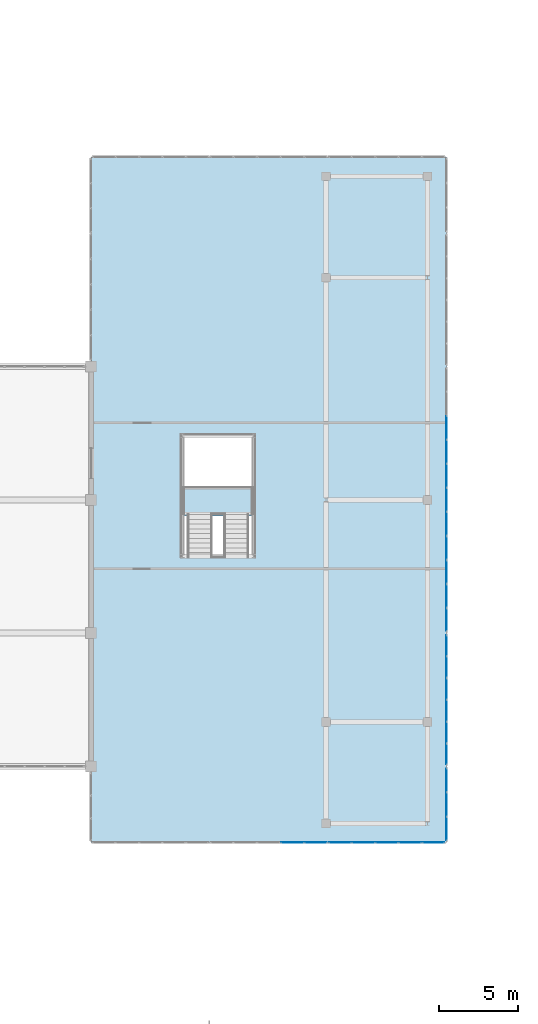
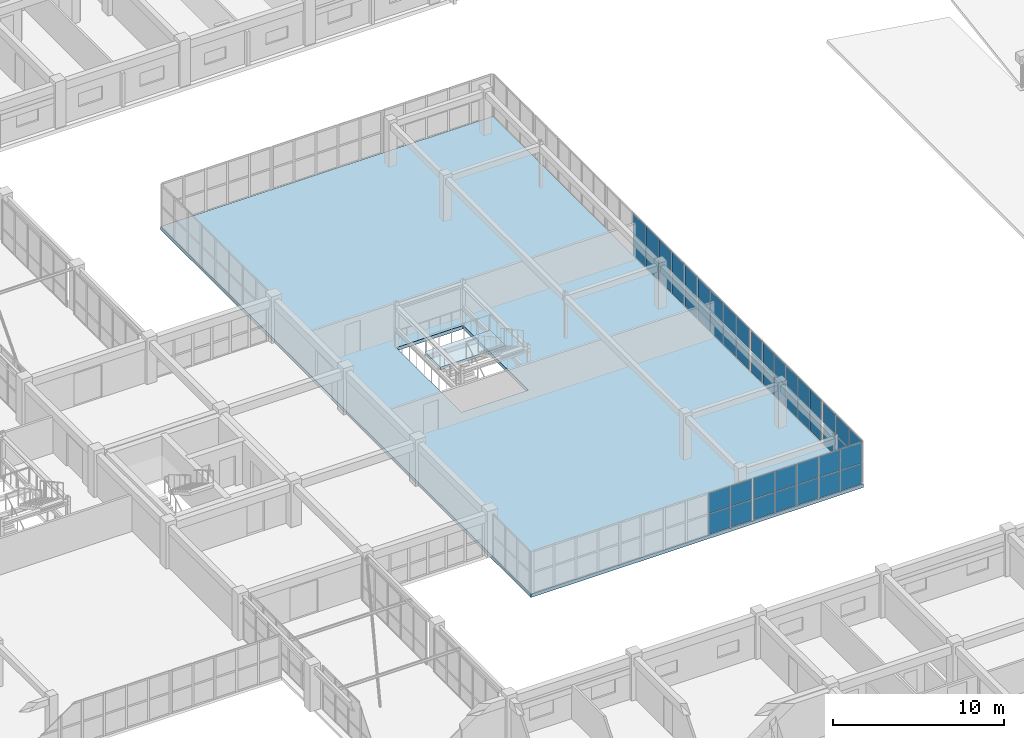
# One storey, part 102 of 148: 50 plates, 2 slabs, 6 elements without a shape of their own.
"""IFC4 building model written with IfcOpenShell, lengths in metres."""

from ifc_helpers import new_model, si_unit, direction, frame, origin, origin_2d, place, context, subcontext, project, spatial, polyline, rectangle, outline, extrude, material, layer, layer_set, type_object, element, aggregate, save


model = new_model("IFC4")

# Units and contexts
model_context = context("Model", 3, precision=1e-05, world=origin(), true_north=direction((0.0, 1.0)))
body_context = subcontext(model_context, "Body", "Model", "MODEL_VIEW")
ifc_project = project(units=[si_unit("LENGTHUNIT", "METRE"), si_unit("AREAUNIT", "SQUARE_METRE"), si_unit("VOLUMEUNIT", "CUBIC_METRE"), si_unit("PLANEANGLEUNIT", "RADIAN"), si_unit("MASSUNIT", "GRAM", prefix="KILO")], contexts=[model_context])

# Site, building, storey
site_placement = place(None, origin())
site = spatial("IfcSite", under=ifc_project, at=site_placement, CompositionType="ELEMENT")
building_placement = place(site_placement, origin())
building = spatial("IfcBuilding", under=site, at=building_placement, Name="Trelvath General Hospital", CompositionType="ELEMENT")
storey_placement = place(building_placement, frame((0.0, 0.0, 12.89990234375)))
storey = spatial("IfcBuildingStorey", under=building, at=storey_placement, Name="L03", CompositionType="ELEMENT", Elevation=12.89990234375)

# Curtain wall, plates
ifc_material_1 = material(Name="Anodised aluminium and low-E glass", Category="aluminium")
ifc_layer_1 = layer(ifc_material_1, 0.14990234375)
ifc_layer_set_1 = layer_set([ifc_layer_1], Name="Anodised aluminium and low-E glass")
curtain_wall_type_1 = type_object("IfcCurtainWallType", Name="CW CrystalCube 743 306 15", PredefinedType="USERDEFINED", material=ifc_layer_set_1)
curtain_wall_1_placement = place(storey_placement, origin())
curtain_wall_1 = element("IfcCurtainWall", 1, at=curtain_wall_1_placement, inside=storey, type_object=curtain_wall_type_1, Name="Crystal Cube Curtain Wall CUBE-E-T1 S2 L03", ObjectType="Unitised Glazed Curtain Wall", PredefinedType="USERDEFINED")
ifc_material_2 = material(Name="Low-E laminated glass", Category="glass")
ifc_layer_2 = layer(ifc_material_2, 0.028076171875)
ifc_layer_set_2 = layer_set([ifc_layer_2], Name="Low-E laminated glass")
plate_type = type_object("IfcPlateType", Name="CurtainPanel Glass28", PredefinedType="CURTAIN_PANEL", material=ifc_layer_set_2)
plate_1_placement = place(storey_placement, frame((106.5556640625, 37.199951171875, 0.06005859375), z_axis=(0.0, 0.0, 1.0), x_axis=(-1.0, 0.0, 0.0)))
plate_1 = element("IfcPlate", 2, at=plate_1_placement, type_object=plate_type, Name="CW-245 panel 1.1", PredefinedType="CURTAIN_PANEL", context=body_context, shape_type="SweptSolid", body=[
    extrude(rectangle(XDim=1.395263671875, YDim=0.028076171875, at=origin_2d()), origin(), (0.0, 0.0, 1.0), 1.43994140625),
])
plate_2_placement = place(storey_placement, frame((106.5556640625, 37.199951171875, 1.56005859375), z_axis=(0.0, 0.0, 1.0), x_axis=(-1.0, 0.0, 0.0)))
plate_2 = element("IfcPlate", 3, at=plate_2_placement, type_object=plate_type, Name="CW-245 panel 1.2", PredefinedType="CURTAIN_PANEL", context=body_context, shape_type="SweptSolid", body=[
    extrude(rectangle(XDim=1.395263671875, YDim=0.028076171875, at=origin_2d()), origin(), (0.0, 0.0, 1.0), 1.43994140625),
])
plate_3_placement = place(storey_placement, frame((105.085205078125, 37.199951171875, 0.06005859375), z_axis=(0.0, 0.0, 1.0), x_axis=(-1.0, 0.0, 0.0)))
plate_3 = element("IfcPlate", 4, at=plate_3_placement, type_object=plate_type, Name="CW-245 panel 2.1", PredefinedType="CURTAIN_PANEL", context=body_context, shape_type="SweptSolid", body=[
    extrude(rectangle(XDim=1.42529296875, YDim=0.028076171875, at=origin_2d()), origin(), (0.0, 0.0, 1.0), 1.43994140625),
])
plate_4_placement = place(storey_placement, frame((105.085205078125, 37.199951171875, 1.56005859375), z_axis=(0.0, 0.0, 1.0), x_axis=(-1.0, 0.0, 0.0)))
plate_4 = element("IfcPlate", 5, at=plate_4_placement, type_object=plate_type, Name="CW-245 panel 2.2", PredefinedType="CURTAIN_PANEL", context=body_context, shape_type="SweptSolid", body=[
    extrude(rectangle(XDim=1.42529296875, YDim=0.028076171875, at=origin_2d()), origin(), (0.0, 0.0, 1.0), 1.43994140625),
])
aggregate(curtain_wall_1, [plate_1, plate_2, plate_3, plate_4])

ifc_material_3 = material(Name="Anodised aluminium and low-E glass", Category="aluminium")
ifc_layer_3 = layer(ifc_material_3, 0.14990234375)
ifc_layer_set_3 = layer_set([ifc_layer_3], Name="Anodised aluminium and low-E glass")
curtain_wall_type_2 = type_object("IfcCurtainWallType", Name="CW CrystalCube 737 306 15", PredefinedType="USERDEFINED", material=ifc_layer_set_3)
curtain_wall_2_placement = place(storey_placement, origin())
curtain_wall_2 = element("IfcCurtainWall", 6, at=curtain_wall_2_placement, inside=storey, type_object=curtain_wall_type_2, Name="Crystal Cube Curtain Wall CUBE-E-T1 S3 L03", ObjectType="Unitised Glazed Curtain Wall", PredefinedType="USERDEFINED")
plate_5_placement = place(storey_placement, frame((113.96826171875, 37.199951171875, 0.06005859375), z_axis=(0.0, 0.0, 1.0), x_axis=(-1.0, 0.0, 0.0)))
plate_5 = element("IfcPlate", 7, at=plate_5_placement, type_object=plate_type, Name="CW-246 panel 1.1", PredefinedType="CURTAIN_PANEL", context=body_context, shape_type="SweptSolid", body=[
    extrude(rectangle(XDim=1.38330078125, YDim=0.028076171875, at=origin_2d()), origin(), (0.0, 0.0, 1.0), 1.43994140625),
])
plate_6_placement = place(storey_placement, frame((113.96826171875, 37.199951171875, 1.56005859375), z_axis=(0.0, 0.0, 1.0), x_axis=(-1.0, 0.0, 0.0)))
plate_6 = element("IfcPlate", 8, at=plate_6_placement, type_object=plate_type, Name="CW-246 panel 1.2", PredefinedType="CURTAIN_PANEL", context=body_context, shape_type="SweptSolid", body=[
    extrude(rectangle(XDim=1.38330078125, YDim=0.028076171875, at=origin_2d()), origin(), (0.0, 0.0, 1.0), 1.43994140625),
])
plate_7_placement = place(storey_placement, frame((112.510009765625, 37.199951171875, 0.06005859375), z_axis=(0.0, 0.0, 1.0), x_axis=(-1.0, 0.0, 0.0)))
plate_7 = element("IfcPlate", 9, at=plate_7_placement, type_object=plate_type, Name="CW-246 panel 2.1", PredefinedType="CURTAIN_PANEL", context=body_context, shape_type="SweptSolid", body=[
    extrude(rectangle(XDim=1.413330078125, YDim=0.028076171875, at=origin_2d()), origin(), (0.0, 0.0, 1.0), 1.43994140625),
])
plate_8_placement = place(storey_placement, frame((112.510009765625, 37.199951171875, 1.56005859375), z_axis=(0.0, 0.0, 1.0), x_axis=(-1.0, 0.0, 0.0)))
plate_8 = element("IfcPlate", 10, at=plate_8_placement, type_object=plate_type, Name="CW-246 panel 2.2", PredefinedType="CURTAIN_PANEL", context=body_context, shape_type="SweptSolid", body=[
    extrude(rectangle(XDim=1.413330078125, YDim=0.028076171875, at=origin_2d()), origin(), (0.0, 0.0, 1.0), 1.43994140625),
])
plate_9_placement = place(storey_placement, frame((111.03662109375, 37.199951171875, 0.06005859375), z_axis=(0.0, 0.0, 1.0), x_axis=(-1.0, 0.0, 0.0)))
plate_9 = element("IfcPlate", 11, at=plate_9_placement, type_object=plate_type, Name="CW-246 panel 3.1", PredefinedType="CURTAIN_PANEL", context=body_context, shape_type="SweptSolid", body=[
    extrude(rectangle(XDim=1.413330078125, YDim=0.028076171875, at=origin_2d()), origin(), (0.0, 0.0, 1.0), 1.43994140625),
])
plate_10_placement = place(storey_placement, frame((111.03662109375, 37.199951171875, 1.56005859375), z_axis=(0.0, 0.0, 1.0), x_axis=(-1.0, 0.0, 0.0)))
plate_10 = element("IfcPlate", 12, at=plate_10_placement, type_object=plate_type, Name="CW-246 panel 3.2", PredefinedType="CURTAIN_PANEL", context=body_context, shape_type="SweptSolid", body=[
    extrude(rectangle(XDim=1.413330078125, YDim=0.028076171875, at=origin_2d()), origin(), (0.0, 0.0, 1.0), 1.43994140625),
])
plate_11_placement = place(storey_placement, frame((109.563232421875, 37.199951171875, 0.06005859375), z_axis=(0.0, 0.0, 1.0), x_axis=(-1.0, 0.0, 0.0)))
plate_11 = element("IfcPlate", 13, at=plate_11_placement, type_object=plate_type, Name="CW-246 panel 4.1", PredefinedType="CURTAIN_PANEL", context=body_context, shape_type="SweptSolid", body=[
    extrude(rectangle(XDim=1.413330078125, YDim=0.028076171875, at=origin_2d()), origin(), (0.0, 0.0, 1.0), 1.43994140625),
])
plate_12_placement = place(storey_placement, frame((109.563232421875, 37.199951171875, 1.56005859375), z_axis=(0.0, 0.0, 1.0), x_axis=(-1.0, 0.0, 0.0)))
plate_12 = element("IfcPlate", 14, at=plate_12_placement, type_object=plate_type, Name="CW-246 panel 4.2", PredefinedType="CURTAIN_PANEL", context=body_context, shape_type="SweptSolid", body=[
    extrude(rectangle(XDim=1.413330078125, YDim=0.028076171875, at=origin_2d()), origin(), (0.0, 0.0, 1.0), 1.43994140625),
])
plate_13_placement = place(storey_placement, frame((108.10498046875, 37.199951171875, 0.06005859375), z_axis=(0.0, 0.0, 1.0), x_axis=(-1.0, 0.0, 0.0)))
plate_13 = element("IfcPlate", 15, at=plate_13_placement, type_object=plate_type, Name="CW-246 panel 5.1", PredefinedType="CURTAIN_PANEL", context=body_context, shape_type="SweptSolid", body=[
    extrude(rectangle(XDim=1.38330078125, YDim=0.028076171875, at=origin_2d()), origin(), (0.0, 0.0, 1.0), 1.43994140625),
])
plate_14_placement = place(storey_placement, frame((108.10498046875, 37.199951171875, 1.56005859375), z_axis=(0.0, 0.0, 1.0), x_axis=(-1.0, 0.0, 0.0)))
plate_14 = element("IfcPlate", 16, at=plate_14_placement, type_object=plate_type, Name="CW-246 panel 5.2", PredefinedType="CURTAIN_PANEL", context=body_context, shape_type="SweptSolid", body=[
    extrude(rectangle(XDim=1.38330078125, YDim=0.028076171875, at=origin_2d()), origin(), (0.0, 0.0, 1.0), 1.43994140625),
])
aggregate(curtain_wall_2, [plate_5, plate_6, plate_7, plate_8, plate_9, plate_10, plate_11, plate_12, plate_13, plate_14])

ifc_material_4 = material(Name="Anodised aluminium and low-E glass", Category="aluminium")
ifc_layer_4 = layer(ifc_material_4, 0.14990234375)
ifc_layer_set_4 = layer_set([ifc_layer_4], Name="Anodised aluminium and low-E glass")
curtain_wall_type_3 = type_object("IfcCurtainWallType", Name="CW CrystalCube 464 306 15", PredefinedType="USERDEFINED", material=ifc_layer_set_4)
curtain_wall_3_placement = place(storey_placement, origin())
curtain_wall_3 = element("IfcCurtainWall", 17, at=curtain_wall_3_placement, inside=storey, type_object=curtain_wall_type_3, Name="Crystal Cube Curtain Wall CUBE-E-T1 E1 L03", ObjectType="Unitised Glazed Curtain Wall", PredefinedType="USERDEFINED")
plate_15_placement = place(storey_placement, frame((114.800048828125, 41.131591796875, 0.06005859375), z_axis=(0.0, 0.0, 1.0), x_axis=(0.0, -1.0, 0.0)))
plate_15 = element("IfcPlate", 18, at=plate_15_placement, type_object=plate_type, Name="CW-250 panel 1.1", PredefinedType="CURTAIN_PANEL", context=body_context, shape_type="SweptSolid", body=[
    extrude(rectangle(XDim=1.456787109375, YDim=0.028076171875, at=origin_2d()), origin(), (0.0, 0.0, 1.0), 1.43994140625),
])
plate_16_placement = place(storey_placement, frame((114.800048828125, 41.131591796875, 1.56005859375), z_axis=(0.0, 0.0, 1.0), x_axis=(0.0, -1.0, 0.0)))
plate_16 = element("IfcPlate", 19, at=plate_16_placement, type_object=plate_type, Name="CW-250 panel 1.2", PredefinedType="CURTAIN_PANEL", context=body_context, shape_type="SweptSolid", body=[
    extrude(rectangle(XDim=1.456787109375, YDim=0.028076171875, at=origin_2d()), origin(), (0.0, 0.0, 1.0), 1.43994140625),
])
plate_17_placement = place(storey_placement, frame((114.800048828125, 39.60009765625, 0.06005859375), z_axis=(0.0, 0.0, 1.0), x_axis=(0.0, -1.0, 0.0)))
plate_17 = element("IfcPlate", 20, at=plate_17_placement, type_object=plate_type, Name="CW-250 panel 2.1", PredefinedType="CURTAIN_PANEL", context=body_context, shape_type="SweptSolid", body=[
    extrude(rectangle(XDim=1.486572265625, YDim=0.028076171875, at=origin_2d()), origin(), (0.0, 0.0, 1.0), 1.43994140625),
])
plate_18_placement = place(storey_placement, frame((114.800048828125, 39.60009765625, 1.56005859375), z_axis=(0.0, 0.0, 1.0), x_axis=(0.0, -1.0, 0.0)))
plate_18 = element("IfcPlate", 21, at=plate_18_placement, type_object=plate_type, Name="CW-250 panel 2.2", PredefinedType="CURTAIN_PANEL", context=body_context, shape_type="SweptSolid", body=[
    extrude(rectangle(XDim=1.486572265625, YDim=0.028076171875, at=origin_2d()), origin(), (0.0, 0.0, 1.0), 1.43994140625),
])
plate_19_placement = place(storey_placement, frame((114.800048828125, 38.068359375, 0.06005859375), z_axis=(0.0, 0.0, 1.0), x_axis=(0.0, -1.0, 0.0)))
plate_19 = element("IfcPlate", 22, at=plate_19_placement, type_object=plate_type, Name="CW-250 panel 3.1", PredefinedType="CURTAIN_PANEL", context=body_context, shape_type="SweptSolid", body=[
    extrude(rectangle(XDim=1.456787109375, YDim=0.028076171875, at=origin_2d()), origin(), (0.0, 0.0, 1.0), 1.43994140625),
])
plate_20_placement = place(storey_placement, frame((114.800048828125, 38.068359375, 1.56005859375), z_axis=(0.0, 0.0, 1.0), x_axis=(0.0, -1.0, 0.0)))
plate_20 = element("IfcPlate", 23, at=plate_20_placement, type_object=plate_type, Name="CW-250 panel 3.2", PredefinedType="CURTAIN_PANEL", context=body_context, shape_type="SweptSolid", body=[
    extrude(rectangle(XDim=1.456787109375, YDim=0.028076171875, at=origin_2d()), origin(), (0.0, 0.0, 1.0), 1.43994140625),
])
aggregate(curtain_wall_3, [plate_15, plate_16, plate_17, plate_18, plate_19, plate_20])

ifc_material_5 = material(Name="Anodised aluminium and low-E glass", Category="aluminium")
ifc_layer_5 = layer(ifc_material_5, 0.14990234375)
ifc_layer_set_5 = layer_set([ifc_layer_5], Name="Anodised aluminium and low-E glass")
curtain_wall_type_4 = type_object("IfcCurtainWallType", Name="CW CrystalCube 824 306 15", PredefinedType="USERDEFINED", material=ifc_layer_set_5)
curtain_wall_4_placement = place(storey_placement, origin())
curtain_wall_4 = element("IfcCurtainWall", 24, at=curtain_wall_4_placement, inside=storey, type_object=curtain_wall_type_4, Name="Crystal Cube Curtain Wall CUBE-E-T1 E2 L03", ObjectType="Unitised Glazed Curtain Wall", PredefinedType="USERDEFINED")
plate_21_placement = place(storey_placement, frame((114.800048828125, 49.618408203125, 0.06005859375), z_axis=(0.0, 0.0, 1.0), x_axis=(0.0, -1.0, 0.0)))
plate_21 = element("IfcPlate", 25, at=plate_21_placement, type_object=plate_type, Name="CW-252 panel 1.1", PredefinedType="CURTAIN_PANEL", context=body_context, shape_type="SweptSolid", body=[
    extrude(rectangle(XDim=1.283447265625, YDim=0.028076171875, at=origin_2d()), origin(), (0.0, 0.0, 1.0), 1.43994140625),
])
plate_22_placement = place(storey_placement, frame((114.800048828125, 49.618408203125, 1.56005859375), z_axis=(0.0, 0.0, 1.0), x_axis=(0.0, -1.0, 0.0)))
plate_22 = element("IfcPlate", 26, at=plate_22_placement, type_object=plate_type, Name="CW-252 panel 1.2", PredefinedType="CURTAIN_PANEL", context=body_context, shape_type="SweptSolid", body=[
    extrude(rectangle(XDim=1.283447265625, YDim=0.028076171875, at=origin_2d()), origin(), (0.0, 0.0, 1.0), 1.43994140625),
])
plate_23_placement = place(storey_placement, frame((114.800048828125, 48.260009765625, 0.06005859375), z_axis=(0.0, 0.0, 1.0), x_axis=(0.0, -1.0, 0.0)))
plate_23 = element("IfcPlate", 27, at=plate_23_placement, type_object=plate_type, Name="CW-252 panel 2.1", PredefinedType="CURTAIN_PANEL", context=body_context, shape_type="SweptSolid", body=[
    extrude(rectangle(XDim=1.313232421875, YDim=0.028076171875, at=origin_2d()), origin(), (0.0, 0.0, 1.0), 1.43994140625),
])
plate_24_placement = place(storey_placement, frame((114.800048828125, 48.260009765625, 1.56005859375), z_axis=(0.0, 0.0, 1.0), x_axis=(0.0, -1.0, 0.0)))
plate_24 = element("IfcPlate", 28, at=plate_24_placement, type_object=plate_type, Name="CW-252 panel 2.2", PredefinedType="CURTAIN_PANEL", context=body_context, shape_type="SweptSolid", body=[
    extrude(rectangle(XDim=1.313232421875, YDim=0.028076171875, at=origin_2d()), origin(), (0.0, 0.0, 1.0), 1.43994140625),
])
plate_25_placement = place(storey_placement, frame((114.800048828125, 46.88671875, 0.06005859375), z_axis=(0.0, 0.0, 1.0), x_axis=(0.0, -1.0, 0.0)))
plate_25 = element("IfcPlate", 29, at=plate_25_placement, type_object=plate_type, Name="CW-252 panel 3.1", PredefinedType="CURTAIN_PANEL", context=body_context, shape_type="SweptSolid", body=[
    extrude(rectangle(XDim=1.313232421875, YDim=0.028076171875, at=origin_2d()), origin(), (0.0, 0.0, 1.0), 1.43994140625),
])
plate_26_placement = place(storey_placement, frame((114.800048828125, 46.88671875, 1.56005859375), z_axis=(0.0, 0.0, 1.0), x_axis=(0.0, -1.0, 0.0)))
plate_26 = element("IfcPlate", 30, at=plate_26_placement, type_object=plate_type, Name="CW-252 panel 3.2", PredefinedType="CURTAIN_PANEL", context=body_context, shape_type="SweptSolid", body=[
    extrude(rectangle(XDim=1.313232421875, YDim=0.028076171875, at=origin_2d()), origin(), (0.0, 0.0, 1.0), 1.43994140625),
])
plate_27_placement = place(storey_placement, frame((114.800048828125, 45.513427734375, 0.06005859375), z_axis=(0.0, 0.0, 1.0), x_axis=(0.0, -1.0, 0.0)))
plate_27 = element("IfcPlate", 31, at=plate_27_placement, type_object=plate_type, Name="CW-252 panel 4.1", PredefinedType="CURTAIN_PANEL", context=body_context, shape_type="SweptSolid", body=[
    extrude(rectangle(XDim=1.313232421875, YDim=0.028076171875, at=origin_2d()), origin(), (0.0, 0.0, 1.0), 1.43994140625),
])
plate_28_placement = place(storey_placement, frame((114.800048828125, 45.513427734375, 1.56005859375), z_axis=(0.0, 0.0, 1.0), x_axis=(0.0, -1.0, 0.0)))
plate_28 = element("IfcPlate", 32, at=plate_28_placement, type_object=plate_type, Name="CW-252 panel 4.2", PredefinedType="CURTAIN_PANEL", context=body_context, shape_type="SweptSolid", body=[
    extrude(rectangle(XDim=1.313232421875, YDim=0.028076171875, at=origin_2d()), origin(), (0.0, 0.0, 1.0), 1.43994140625),
])
plate_29_placement = place(storey_placement, frame((114.800048828125, 44.139892578125, 0.06005859375), z_axis=(0.0, 0.0, 1.0), x_axis=(0.0, -1.0, 0.0)))
plate_29 = element("IfcPlate", 33, at=plate_29_placement, type_object=plate_type, Name="CW-252 panel 5.1", PredefinedType="CURTAIN_PANEL", context=body_context, shape_type="SweptSolid", body=[
    extrude(rectangle(XDim=1.313232421875, YDim=0.028076171875, at=origin_2d()), origin(), (0.0, 0.0, 1.0), 1.43994140625),
])
plate_30_placement = place(storey_placement, frame((114.800048828125, 44.139892578125, 1.56005859375), z_axis=(0.0, 0.0, 1.0), x_axis=(0.0, -1.0, 0.0)))
plate_30 = element("IfcPlate", 34, at=plate_30_placement, type_object=plate_type, Name="CW-252 panel 5.2", PredefinedType="CURTAIN_PANEL", context=body_context, shape_type="SweptSolid", body=[
    extrude(rectangle(XDim=1.313232421875, YDim=0.028076171875, at=origin_2d()), origin(), (0.0, 0.0, 1.0), 1.43994140625),
])
plate_31_placement = place(storey_placement, frame((114.800048828125, 42.78173828125, 0.06005859375), z_axis=(0.0, 0.0, 1.0), x_axis=(0.0, -1.0, 0.0)))
plate_31 = element("IfcPlate", 35, at=plate_31_placement, type_object=plate_type, Name="CW-252 panel 6.1", PredefinedType="CURTAIN_PANEL", context=body_context, shape_type="SweptSolid", body=[
    extrude(rectangle(XDim=1.283447265625, YDim=0.028076171875, at=origin_2d()), origin(), (0.0, 0.0, 1.0), 1.43994140625),
])
plate_32_placement = place(storey_placement, frame((114.800048828125, 42.78173828125, 1.56005859375), z_axis=(0.0, 0.0, 1.0), x_axis=(0.0, -1.0, 0.0)))
plate_32 = element("IfcPlate", 36, at=plate_32_placement, type_object=plate_type, Name="CW-252 panel 6.2", PredefinedType="CURTAIN_PANEL", context=body_context, shape_type="SweptSolid", body=[
    extrude(rectangle(XDim=1.283447265625, YDim=0.028076171875, at=origin_2d()), origin(), (0.0, 0.0, 1.0), 1.43994140625),
])
aggregate(curtain_wall_4, [plate_21, plate_22, plate_23, plate_24, plate_25, plate_26, plate_27, plate_28, plate_29, plate_30, plate_31, plate_32])

ifc_material_6 = material(Name="Anodised aluminium and low-E glass", Category="aluminium")
ifc_layer_6 = layer(ifc_material_6, 0.14990234375)
ifc_layer_set_6 = layer_set([ifc_layer_6], Name="Anodised aluminium and low-E glass")
curtain_wall_type_5 = type_object("IfcCurtainWallType", Name="CW CrystalCube 1664 306 15", PredefinedType="USERDEFINED", material=ifc_layer_set_6)
curtain_wall_5_placement = place(storey_placement, origin())
curtain_wall_5 = element("IfcCurtainWall", 37, at=curtain_wall_5_placement, inside=storey, type_object=curtain_wall_type_5, Name="Crystal Cube Curtain Wall CUBE-E-T1 E3 L03", ObjectType="Unitised Glazed Curtain Wall", PredefinedType="USERDEFINED")
plate_33_placement = place(storey_placement, frame((114.800048828125, 63.338134765625, 0.06005859375), z_axis=(0.0, 0.0, 1.0), x_axis=(0.0, -1.0, 0.0)))
plate_33 = element("IfcPlate", 38, at=plate_33_placement, type_object=plate_type, Name="CW-253 panel 3.1", PredefinedType="CURTAIN_PANEL", context=body_context, shape_type="SweptSolid", body=[
    extrude(rectangle(XDim=1.45263671875, YDim=0.028076171875, at=origin_2d()), origin(), (0.0, 0.0, 1.0), 1.43994140625),
])
plate_34_placement = place(storey_placement, frame((114.800048828125, 63.338134765625, 1.56005859375), z_axis=(0.0, 0.0, 1.0), x_axis=(0.0, -1.0, 0.0)))
plate_34 = element("IfcPlate", 39, at=plate_34_placement, type_object=plate_type, Name="CW-253 panel 3.2", PredefinedType="CURTAIN_PANEL", context=body_context, shape_type="SweptSolid", body=[
    extrude(rectangle(XDim=1.45263671875, YDim=0.028076171875, at=origin_2d()), origin(), (0.0, 0.0, 1.0), 1.43994140625),
])
plate_35_placement = place(storey_placement, frame((114.800048828125, 61.825439453125, 0.06005859375), z_axis=(0.0, 0.0, 1.0), x_axis=(0.0, -1.0, 0.0)))
plate_35 = element("IfcPlate", 40, at=plate_35_placement, type_object=plate_type, Name="CW-253 panel 4.1", PredefinedType="CURTAIN_PANEL", context=body_context, shape_type="SweptSolid", body=[
    extrude(rectangle(XDim=1.45263671875, YDim=0.028076171875, at=origin_2d()), origin(), (0.0, 0.0, 1.0), 1.43994140625),
])
plate_36_placement = place(storey_placement, frame((114.800048828125, 61.825439453125, 1.56005859375), z_axis=(0.0, 0.0, 1.0), x_axis=(0.0, -1.0, 0.0)))
plate_36 = element("IfcPlate", 41, at=plate_36_placement, type_object=plate_type, Name="CW-253 panel 4.2", PredefinedType="CURTAIN_PANEL", context=body_context, shape_type="SweptSolid", body=[
    extrude(rectangle(XDim=1.45263671875, YDim=0.028076171875, at=origin_2d()), origin(), (0.0, 0.0, 1.0), 1.43994140625),
])
plate_37_placement = place(storey_placement, frame((114.800048828125, 60.312744140625, 0.06005859375), z_axis=(0.0, 0.0, 1.0), x_axis=(0.0, -1.0, 0.0)))
plate_37 = element("IfcPlate", 42, at=plate_37_placement, type_object=plate_type, Name="CW-253 panel 5.1", PredefinedType="CURTAIN_PANEL", context=body_context, shape_type="SweptSolid", body=[
    extrude(rectangle(XDim=1.45263671875, YDim=0.028076171875, at=origin_2d()), origin(), (0.0, 0.0, 1.0), 1.43994140625),
])
plate_38_placement = place(storey_placement, frame((114.800048828125, 60.312744140625, 1.56005859375), z_axis=(0.0, 0.0, 1.0), x_axis=(0.0, -1.0, 0.0)))
plate_38 = element("IfcPlate", 43, at=plate_38_placement, type_object=plate_type, Name="CW-253 panel 5.2", PredefinedType="CURTAIN_PANEL", context=body_context, shape_type="SweptSolid", body=[
    extrude(rectangle(XDim=1.45263671875, YDim=0.028076171875, at=origin_2d()), origin(), (0.0, 0.0, 1.0), 1.43994140625),
])
plate_39_placement = place(storey_placement, frame((114.800048828125, 58.800048828125, 0.06005859375), z_axis=(0.0, 0.0, 1.0), x_axis=(0.0, -1.0, 0.0)))
plate_39 = element("IfcPlate", 44, at=plate_39_placement, type_object=plate_type, Name="CW-253 panel 6.1", PredefinedType="CURTAIN_PANEL", context=body_context, shape_type="SweptSolid", body=[
    extrude(rectangle(XDim=1.45263671875, YDim=0.028076171875, at=origin_2d()), origin(), (0.0, 0.0, 1.0), 1.43994140625),
])
plate_40_placement = place(storey_placement, frame((114.800048828125, 58.800048828125, 1.56005859375), z_axis=(0.0, 0.0, 1.0), x_axis=(0.0, -1.0, 0.0)))
plate_40 = element("IfcPlate", 45, at=plate_40_placement, type_object=plate_type, Name="CW-253 panel 6.2", PredefinedType="CURTAIN_PANEL", context=body_context, shape_type="SweptSolid", body=[
    extrude(rectangle(XDim=1.45263671875, YDim=0.028076171875, at=origin_2d()), origin(), (0.0, 0.0, 1.0), 1.43994140625),
])
plate_41_placement = place(storey_placement, frame((114.800048828125, 57.287353515625, 0.06005859375), z_axis=(0.0, 0.0, 1.0), x_axis=(0.0, -1.0, 0.0)))
plate_41 = element("IfcPlate", 46, at=plate_41_placement, type_object=plate_type, Name="CW-253 panel 7.1", PredefinedType="CURTAIN_PANEL", context=body_context, shape_type="SweptSolid", body=[
    extrude(rectangle(XDim=1.45263671875, YDim=0.028076171875, at=origin_2d()), origin(), (0.0, 0.0, 1.0), 1.43994140625),
])
plate_42_placement = place(storey_placement, frame((114.800048828125, 57.287353515625, 1.56005859375), z_axis=(0.0, 0.0, 1.0), x_axis=(0.0, -1.0, 0.0)))
plate_42 = element("IfcPlate", 47, at=plate_42_placement, type_object=plate_type, Name="CW-253 panel 7.2", PredefinedType="CURTAIN_PANEL", context=body_context, shape_type="SweptSolid", body=[
    extrude(rectangle(XDim=1.45263671875, YDim=0.028076171875, at=origin_2d()), origin(), (0.0, 0.0, 1.0), 1.43994140625),
])
plate_43_placement = place(storey_placement, frame((114.800048828125, 55.774658203125, 0.06005859375), z_axis=(0.0, 0.0, 1.0), x_axis=(0.0, -1.0, 0.0)))
plate_43 = element("IfcPlate", 48, at=plate_43_placement, type_object=plate_type, Name="CW-253 panel 8.1", PredefinedType="CURTAIN_PANEL", context=body_context, shape_type="SweptSolid", body=[
    extrude(rectangle(XDim=1.45263671875, YDim=0.028076171875, at=origin_2d()), origin(), (0.0, 0.0, 1.0), 1.43994140625),
])
plate_44_placement = place(storey_placement, frame((114.800048828125, 55.774658203125, 1.56005859375), z_axis=(0.0, 0.0, 1.0), x_axis=(0.0, -1.0, 0.0)))
plate_44 = element("IfcPlate", 49, at=plate_44_placement, type_object=plate_type, Name="CW-253 panel 8.2", PredefinedType="CURTAIN_PANEL", context=body_context, shape_type="SweptSolid", body=[
    extrude(rectangle(XDim=1.45263671875, YDim=0.028076171875, at=origin_2d()), origin(), (0.0, 0.0, 1.0), 1.43994140625),
])
plate_45_placement = place(storey_placement, frame((114.800048828125, 54.26171875, 0.06005859375), z_axis=(0.0, 0.0, 1.0), x_axis=(0.0, -1.0, 0.0)))
plate_45 = element("IfcPlate", 50, at=plate_45_placement, type_object=plate_type, Name="CW-253 panel 9.1", PredefinedType="CURTAIN_PANEL", context=body_context, shape_type="SweptSolid", body=[
    extrude(rectangle(XDim=1.45263671875, YDim=0.028076171875, at=origin_2d()), origin(), (0.0, 0.0, 1.0), 1.43994140625),
])
plate_46_placement = place(storey_placement, frame((114.800048828125, 54.26171875, 1.56005859375), z_axis=(0.0, 0.0, 1.0), x_axis=(0.0, -1.0, 0.0)))
plate_46 = element("IfcPlate", 51, at=plate_46_placement, type_object=plate_type, Name="CW-253 panel 9.2", PredefinedType="CURTAIN_PANEL", context=body_context, shape_type="SweptSolid", body=[
    extrude(rectangle(XDim=1.45263671875, YDim=0.028076171875, at=origin_2d()), origin(), (0.0, 0.0, 1.0), 1.43994140625),
])
plate_47_placement = place(storey_placement, frame((114.800048828125, 52.7490234375, 0.06005859375), z_axis=(0.0, 0.0, 1.0), x_axis=(0.0, -1.0, 0.0)))
plate_47 = element("IfcPlate", 52, at=plate_47_placement, type_object=plate_type, Name="CW-253 panel 10.1", PredefinedType="CURTAIN_PANEL", context=body_context, shape_type="SweptSolid", body=[
    extrude(rectangle(XDim=1.45263671875, YDim=0.028076171875, at=origin_2d()), origin(), (0.0, 0.0, 1.0), 1.43994140625),
])
plate_48_placement = place(storey_placement, frame((114.800048828125, 52.7490234375, 1.56005859375), z_axis=(0.0, 0.0, 1.0), x_axis=(0.0, -1.0, 0.0)))
plate_48 = element("IfcPlate", 53, at=plate_48_placement, type_object=plate_type, Name="CW-253 panel 10.2", PredefinedType="CURTAIN_PANEL", context=body_context, shape_type="SweptSolid", body=[
    extrude(rectangle(XDim=1.45263671875, YDim=0.028076171875, at=origin_2d()), origin(), (0.0, 0.0, 1.0), 1.43994140625),
])
plate_49_placement = place(storey_placement, frame((114.800048828125, 51.25146484375, 0.06005859375), z_axis=(0.0, 0.0, 1.0), x_axis=(0.0, -1.0, 0.0)))
plate_49 = element("IfcPlate", 54, at=plate_49_placement, type_object=plate_type, Name="CW-253 panel 11.1", PredefinedType="CURTAIN_PANEL", context=body_context, shape_type="SweptSolid", body=[
    extrude(rectangle(XDim=1.422607421875, YDim=0.028076171875, at=origin_2d()), origin(), (0.0, 0.0, 1.0), 1.43994140625),
])
plate_50_placement = place(storey_placement, frame((114.800048828125, 51.25146484375, 1.56005859375), z_axis=(0.0, 0.0, 1.0), x_axis=(0.0, -1.0, 0.0)))
plate_50 = element("IfcPlate", 55, at=plate_50_placement, type_object=plate_type, Name="CW-253 panel 11.2", PredefinedType="CURTAIN_PANEL", context=body_context, shape_type="SweptSolid", body=[
    extrude(rectangle(XDim=1.422607421875, YDim=0.028076171875, at=origin_2d()), origin(), (0.0, 0.0, 1.0), 1.43994140625),
])
aggregate(curtain_wall_5, [plate_33, plate_34, plate_35, plate_36, plate_37, plate_38, plate_39, plate_40, plate_41, plate_42, plate_43, plate_44, plate_45, plate_46, plate_47, plate_48, plate_49, plate_50])

# Slab
ifc_material_7 = material(Name="Concrete C35/45", Category="concrete")
ifc_layer_7 = layer(ifc_material_7, 0.239990234375)
ifc_layer_set_7 = layer_set([ifc_layer_7], Name="Concrete C35/45")
slab_type_1 = type_object("IfcSlabType", Name="FlatSlab Cube240", PredefinedType="FLOOR", material=ifc_layer_set_7)
slab_1_placement = place(storey_placement, frame((0.0, 0.0, -0.239990234375)))
element("IfcSlab", 56, at=slab_1_placement, inside=storey, type_object=slab_type_1, Name="Crystal Cube Slab CUBE-E-T1 L03", PredefinedType="FLOOR", context=body_context, shape_type="SweptSolid", body=[
    extrude(outline(polyline([(92.39990234375, 37.199951171875), (114.800048828125, 37.199951171875), (114.800048828125, 80.39990234375), (92.39990234375, 80.39990234375), (92.39990234375, 37.199951171875)]), holes=[polyline([(98.14990234375, 55.25), (102.64990234375, 55.25), (102.64990234375, 62.85009765625), (98.14990234375, 62.85009765625), (98.14990234375, 55.25)])]), origin(), (0.0, 0.0, 1.0), 0.239990234375),
])

# Stair, slab
ifc_material_8 = material(Name="Concrete C35/45", Category="concrete")
stair_type = type_object("IfcStairType", Name="Stair PublicCube330", PredefinedType="TWO_STRAIGHT_RUN_STAIR", material=ifc_material_8)
stair_placement = place(storey_placement, origin())
stair = element("IfcStair", 57, at=stair_placement, inside=storey, type_object=stair_type, Name="Public Cube Feature Stair ST10 L03", PredefinedType="TWO_STRAIGHT_RUN_STAIR")
ifc_material_9 = material(Name="Concrete C35/45", Category="concrete")
ifc_layer_8 = layer(ifc_material_9, 0.199951171875)
ifc_layer_set_8 = layer_set([ifc_layer_8], Name="Concrete C35/45")
slab_type_2 = type_object("IfcSlabType", Name="StairLanding 200", PredefinedType="LANDING", material=ifc_layer_set_8)
slab_2_placement = place(storey_placement, frame((0.0, 0.0, 1.4501953125)))
slab_2 = element("IfcSlab", 58, at=slab_2_placement, type_object=slab_type_2, Name="ST10-L03 landing 1", PredefinedType="LANDING", context=body_context, shape_type="SweptSolid", body=[
    extrude(outline(polyline([(98.199951171875, 57.7900390625), (102.60009765625, 57.7900390625), (102.60009765625, 59.6201171875), (98.199951171875, 59.6201171875), (98.199951171875, 57.7900390625)])), origin(), (0.0, 0.0, 1.0), 0.199951171875),
])
aggregate(stair, [slab_2])

save(model, "model.ifc")
